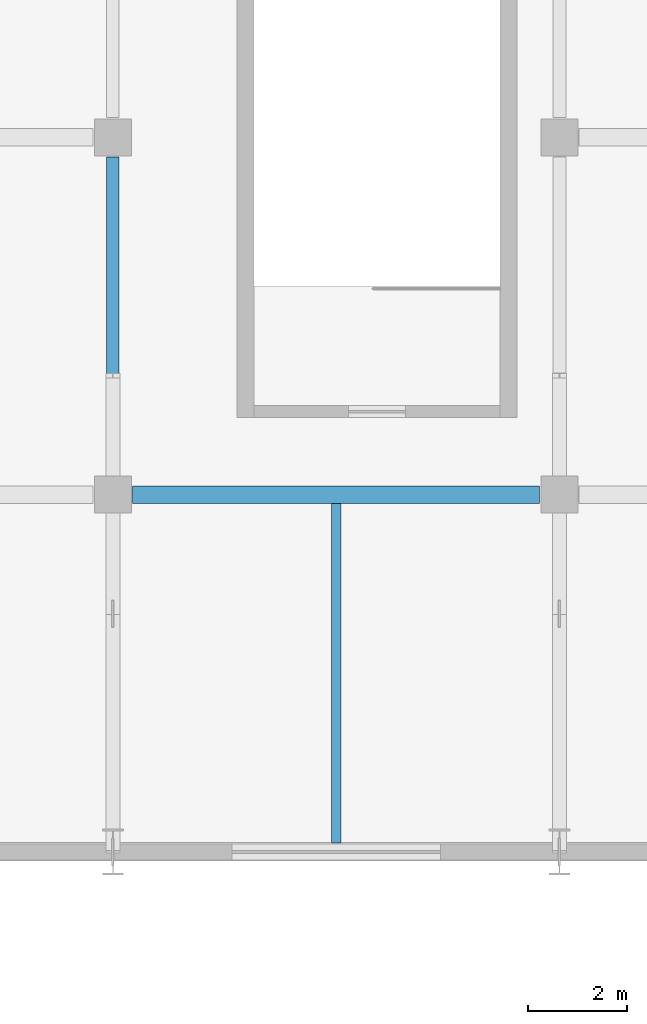
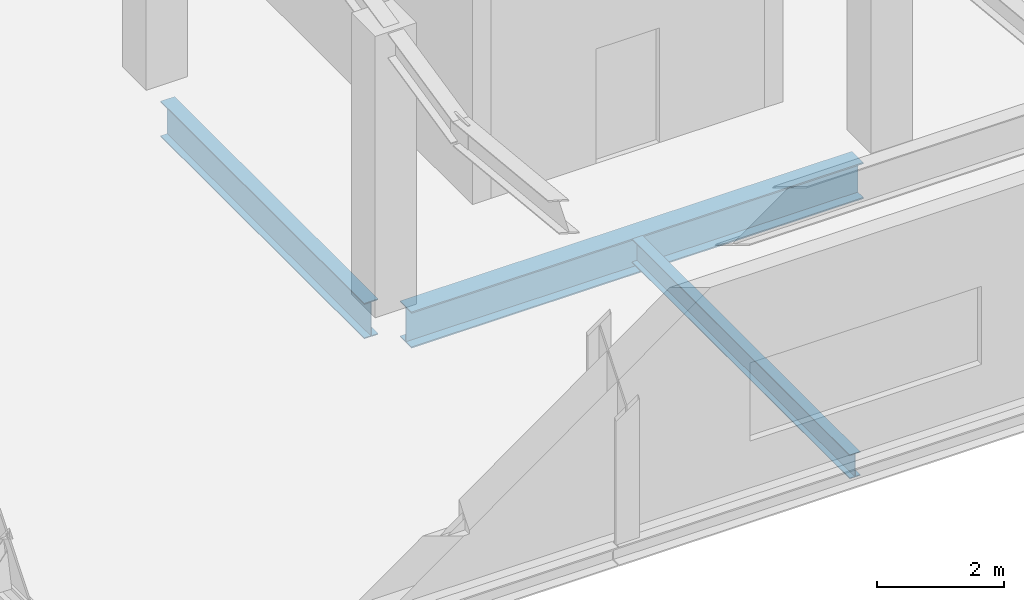
# One storey, part 38 of 189: 3 beams.
"""IFC4 building model written with IfcOpenShell, lengths in metres."""

from ifc_helpers import new_model, si_unit, direction, frame, origin, origin_2d, place, context, subcontext, project, spatial, i_section, extrude, material, material_profile, profile_set, type_object, element, save


model = new_model("IFC4")

# Units and contexts
model_context = context("Model", 3, precision=1e-05, world=origin(), true_north=direction((0.0, 1.0)))
body_context = subcontext(model_context, "Body", "Model", "MODEL_VIEW")
ifc_project = project(units=[si_unit("LENGTHUNIT", "METRE"), si_unit("AREAUNIT", "SQUARE_METRE"), si_unit("VOLUMEUNIT", "CUBIC_METRE"), si_unit("PLANEANGLEUNIT", "RADIAN"), si_unit("MASSUNIT", "GRAM", prefix="KILO")], contexts=[model_context])

# Site, building, storey
site_placement = place(None, origin())
site = spatial("IfcSite", under=ifc_project, at=site_placement, CompositionType="ELEMENT")
building_placement = place(site_placement, origin())
building = spatial("IfcBuilding", under=site, at=building_placement, Name="Celestram Park Convention Centre", CompositionType="ELEMENT")
storey_placement = place(building_placement, frame((0.0, 0.0, 5.39990234375)))
storey = spatial("IfcBuildingStorey", under=building, at=storey_placement, Name="L01", CompositionType="ELEMENT", Elevation=5.39990234375)

# Beams
ifc_material = material(Name="Steel ASTM A992 Grade 50", Category="steel")
ifc_material_profile_1 = material_profile(ifc_material, i_section(OverallWidth=0.35595703125, OverallDepth=0.696044921875, WebThickness=0.015380859375, FlangeThickness=0.02490234375, at=origin_2d()), Name="W27X146")
ifc_profile_set_1 = profile_set([ifc_material_profile_1], Name="Steel ASTM A992 Grade 50")
beam_type_1 = type_object("IfcBeamType", Name="STR-BM-W27X146", PredefinedType="BEAM", material=ifc_profile_set_1)
beam_1_placement = place(storey_placement, frame((9.39794921875, 115.199951171875, -0.6279296875), z_axis=(1.0, 0.0, 0.0), x_axis=(0.0, 1.0, 0.0)))
element("IfcBeam", 1, at=beam_1_placement, inside=storey, type_object=beam_type_1, Name="Primary X-girder BG-L01-0012", PredefinedType="BEAM", context=body_context, shape_type="SweptSolid", body=[
    extrude(i_section(OverallWidth=0.35595703125, OverallDepth=0.696044921875, WebThickness=0.015380859375, FlangeThickness=0.02490234375, at=origin_2d()), origin(), (0.0, 0.0, 1.0), 8.2041015625),
])
ifc_material_profile_2 = material_profile(ifc_material, i_section(OverallWidth=0.25390625, OverallDepth=0.68310546875, WebThickness=0.012451171875, FlangeThickness=0.01904296875, at=origin_2d()), Name="W27X94")
ifc_profile_set_2 = profile_set([ifc_material_profile_2], Name="Steel ASTM A992 Grade 50")
beam_type_2 = type_object("IfcBeamType", Name="STR-BM-W27X94", PredefinedType="BEAM", material=ifc_profile_set_2)
beam_2_placement = place(storey_placement, frame((9.0, 115.597900390625, -0.621337890625), z_axis=(0.0, 1.0, 0.0), x_axis=(-1.0, 0.0, 0.0)))
element("IfcBeam", 2, at=beam_2_placement, inside=storey, type_object=beam_type_2, Name="Primary Y-girder BG-L01-0013", PredefinedType="BEAM", context=body_context, shape_type="SweptSolid", body=[
    extrude(i_section(OverallWidth=0.25390625, OverallDepth=0.68310546875, WebThickness=0.012451171875, FlangeThickness=0.01904296875, at=origin_2d()), origin(), (0.0, 0.0, 1.0), 6.404052734375),
])
ifc_material_profile_3 = material_profile(ifc_material, i_section(OverallWidth=0.19091796875, OverallDepth=0.45703125, WebThickness=0.009033203125, FlangeThickness=0.014404296875, at=origin_2d()), Name="W18X50")
ifc_profile_set_3 = profile_set([ifc_material_profile_3], Name="Steel ASTM A992 Grade 50")
beam_type_3 = type_object("IfcBeamType", Name="STR-JST-W18X50", PredefinedType="JOIST", material=ifc_profile_set_3)
beam_3_placement = place(storey_placement, frame((13.5, 108.181884765625, -0.50830078125), z_axis=(0.0, 1.0, 0.0), x_axis=(-1.0, 0.0, 0.0)))
element("IfcBeam", 3, at=beam_3_placement, inside=storey, type_object=beam_type_3, Name="Secondary composite joist BG-L01-0549", PredefinedType="JOIST", context=body_context, shape_type="SweptSolid", body=[
    extrude(i_section(OverallWidth=0.19091796875, OverallDepth=0.45703125, WebThickness=0.009033203125, FlangeThickness=0.014404296875, at=origin_2d()), origin(), (0.0, 0.0, 1.0), 6.843994140625),
])

save(model, "model.ifc")
